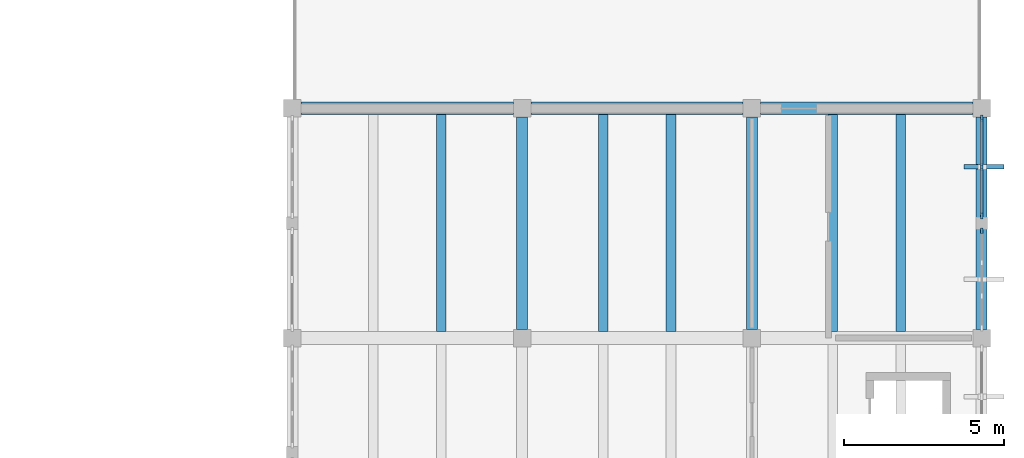
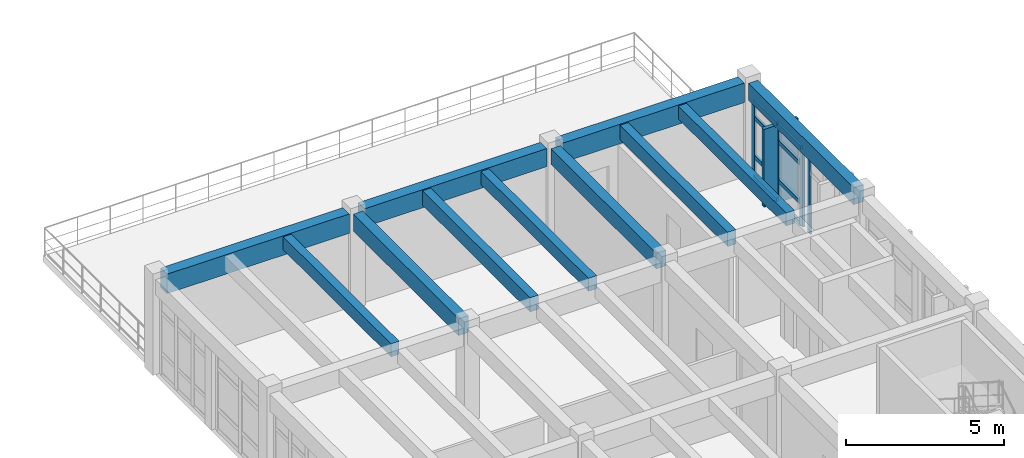
# One storey, part 6 of 22: 13 members, 11 beams, 2 elements without a shape of their own.
"""IFC4 building model written with IfcOpenShell, lengths in metres."""

from ifc_helpers import new_model, si_unit, direction, frame, origin, origin_2d, place, context, subcontext, project, spatial, rectangle, extrude, material, layer, layer_set, material_profile, profile_set, type_object, element, aggregate, save


model = new_model("IFC4")

# Units and contexts
model_context = context("Model", 3, precision=1e-05, world=origin(), true_north=direction((0.0, 1.0)))
body_context = subcontext(model_context, "Body", "Model", "MODEL_VIEW")
ifc_project = project(units=[si_unit("LENGTHUNIT", "METRE"), si_unit("AREAUNIT", "SQUARE_METRE"), si_unit("VOLUMEUNIT", "CUBIC_METRE"), si_unit("PLANEANGLEUNIT", "RADIAN"), si_unit("MASSUNIT", "GRAM", prefix="KILO")], contexts=[model_context])

# Site, building, storey
site_placement = place(None, origin())
site = spatial("IfcSite", under=ifc_project, at=site_placement, CompositionType="ELEMENT")
building_placement = place(site_placement, origin())
building = spatial("IfcBuilding", under=site, at=building_placement, Name="Koriwan Promenade Central Fire Station", CompositionType="ELEMENT")
storey_placement = place(building_placement, frame((0.0, 0.0, 17.39990234375)))
storey = spatial("IfcBuildingStorey", under=building, at=storey_placement, Name="L04", CompositionType="ELEMENT", Elevation=17.39990234375)

# Beams
ifc_material_1 = material(Name="Concrete C35/45", Category="concrete")
ifc_material_profile_1 = material_profile(ifc_material_1, rectangle(XDim=0.300048828125, YDim=0.5, at=origin_2d()), Name="RC-BM-300x500")
ifc_profile_set_1 = profile_set([ifc_material_profile_1], Name="Concrete C35/45")
beam_type_1 = type_object("IfcBeamType", Name="Beam_RC-BM-300x500", PredefinedType="JOIST", material=ifc_profile_set_1)
for number, where, z_axis, x_axis, name in (
    (1, (155.864013671875, 29.0, 3.3701171875), (0.0, 1.0, 0.0), (-1.0, 0.0, 0.0), "V5 L04 secondary joist 983"),
    (2, (163.06396484375, 29.0, 3.3701171875), (0.0, 1.0, 0.0), (-1.0, 0.0, 0.0), "V5 L04 secondary joist 985"),
    (3, (170.263916015625, 29.0, 3.3701171875), (0.0, 1.0, 0.0), (-1.0, 0.0, 0.0), "V5 L04 secondary joist 987"),
):
    element("IfcBeam", number, at=place(storey_placement, frame(where, z_axis=z_axis, x_axis=x_axis)), inside=storey, type_object=beam_type_1, Name=name, PredefinedType="JOIST", context=body_context, shape_type="SweptSolid", body=[
        extrude(rectangle(XDim=0.300048828125, YDim=0.5, at=origin_2d()), origin(), (0.0, 0.0, 1.0), 6.800048828125),
    ])
ifc_material_profile_2 = material_profile(ifc_material_1, rectangle(XDim=0.300048828125, YDim=0.550048828125, at=origin_2d()), Name="RC-BM-300x550")
ifc_profile_set_2 = profile_set([ifc_material_profile_2], Name="Concrete C35/45")
beam_type_2 = type_object("IfcBeamType", Name="Beam_RC-BM-300x550", PredefinedType="JOIST", material=ifc_profile_set_2)
for number, where, z_axis, x_axis, name in (
    (4, (160.93603515625, 29.0, 3.34521484375), (0.0, 1.0, 0.0), (-1.0, 0.0, 0.0), "V5 L04 secondary joist 984"),
    (5, (168.135986328125, 29.0, 3.34521484375), (0.0, 1.0, 0.0), (-1.0, 0.0, 0.0), "V5 L04 secondary joist 986"),
):
    element("IfcBeam", number, at=place(storey_placement, frame(where, z_axis=z_axis, x_axis=x_axis)), inside=storey, type_object=beam_type_2, Name=name, PredefinedType="JOIST", context=body_context, shape_type="SweptSolid", body=[
        extrude(rectangle(XDim=0.300048828125, YDim=0.550048828125, at=origin_2d()), origin(), (0.0, 0.0, 1.0), 6.800048828125),
    ])
ifc_material_profile_3 = material_profile(ifc_material_1, rectangle(XDim=0.35009765625, YDim=0.60009765625, at=origin_2d()), Name="RC-BM-350x600")
ifc_profile_set_3 = profile_set([ifc_material_profile_3], Name="Concrete C35/45")
beam_type_3 = type_object("IfcBeamType", Name="Beam_RC-BM-350x600", PredefinedType="BEAM", material=ifc_profile_set_3)
beam_1_placement = place(storey_placement, frame((165.60009765625, 29.074951171875, 3.360107421875), z_axis=(0.0, 1.0, 0.0), x_axis=(-1.0, 0.0, 0.0)))
element("IfcBeam", 6, at=beam_1_placement, inside=storey, type_object=beam_type_3, Name="V5 L04 girder Y-960", PredefinedType="BEAM", context=body_context, shape_type="SweptSolid", body=[
    extrude(rectangle(XDim=0.35009765625, YDim=0.60009765625, at=origin_2d()), origin(), (0.0, 0.0, 1.0), 6.650146484375),
])
ifc_material_profile_4 = material_profile(ifc_material_1, rectangle(XDim=0.35009765625, YDim=0.64990234375, at=origin_2d()), Name="RC-BM-350x650")
ifc_profile_set_4 = profile_set([ifc_material_profile_4], Name="Concrete C35/45")
beam_type_4 = type_object("IfcBeamType", Name="Beam_RC-BM-350x650", PredefinedType="BEAM", material=ifc_profile_set_4)
for number, where, z_axis, x_axis, name in (
    (7, (158.39990234375, 29.074951171875, 3.335205078125), (0.0, 1.0, 0.0), (-1.0, 0.0, 0.0), "V5 L04 girder Y-955"),
    (8, (172.800048828125, 29.074951171875, 3.335205078125), (0.0, 1.0, 0.0), (-1.0, 0.0, 0.0), "V5 L04 girder Y-965"),
):
    element("IfcBeam", number, at=place(storey_placement, frame(where, z_axis=z_axis, x_axis=x_axis)), inside=storey, type_object=beam_type_4, Name=name, PredefinedType="BEAM", context=body_context, shape_type="SweptSolid", body=[
        extrude(rectangle(XDim=0.35009765625, YDim=0.64990234375, at=origin_2d()), origin(), (0.0, 0.0, 1.0), 6.650146484375),
    ])
ifc_material_profile_5 = material_profile(ifc_material_1, rectangle(XDim=0.39990234375, YDim=0.699951171875, at=origin_2d()), Name="RC-BM-400x700")
ifc_profile_set_5 = profile_set([ifc_material_profile_5], Name="Concrete C35/45")
beam_type_5 = type_object("IfcBeamType", Name="Beam_RC-BM-400x700", PredefinedType="BEAM", material=ifc_profile_set_5)
beam_2_placement = place(storey_placement, frame((158.675048828125, 36.0, 3.31005859375), z_axis=(1.0, 0.0, 0.0), x_axis=(0.0, 1.0, 0.0)))
element("IfcBeam", 9, at=beam_2_placement, inside=storey, type_object=beam_type_5, Name="V5 L04 girder X-944", PredefinedType="BEAM", context=body_context, shape_type="SweptSolid", body=[
    extrude(rectangle(XDim=0.39990234375, YDim=0.699951171875, at=origin_2d()), origin(), (0.0, 0.0, 1.0), 6.64990234375),
])
ifc_material_profile_6 = material_profile(ifc_material_1, rectangle(XDim=0.39990234375, YDim=0.75, at=origin_2d()), Name="RC-BM-400x750")
ifc_profile_set_6 = profile_set([ifc_material_profile_6], Name="Concrete C35/45")
beam_type_6 = type_object("IfcBeamType", Name="Beam_RC-BM-400x750", PredefinedType="BEAM", material=ifc_profile_set_6)
for number, where, z_axis, x_axis, name in (
    (10, (151.47509765625, 36.0, 3.28515625), (1.0, 0.0, 0.0), (0.0, 1.0, 0.0), "V5 L04 girder X-943"),
    (11, (165.875, 36.0, 3.28515625), (1.0, 0.0, 0.0), (0.0, 1.0, 0.0), "V5 L04 girder X-945"),
):
    element("IfcBeam", number, at=place(storey_placement, frame(where, z_axis=z_axis, x_axis=x_axis)), inside=storey, type_object=beam_type_6, Name=name, PredefinedType="BEAM", context=body_context, shape_type="SweptSolid", body=[
        extrude(rectangle(XDim=0.39990234375, YDim=0.75, at=origin_2d()), origin(), (0.0, 0.0, 1.0), 6.64990234375),
    ])

# Curtain wall, member
ifc_material_2 = material(Name="Aluminium EN AW-6063-T6 and low-E glazing", Category="aluminium")
ifc_layer_1 = layer(ifc_material_2, 0.159912109375, Name="Aluminium EN AW-6063-T6 and low-E glazing")
ifc_layer_set_1 = layer_set([ifc_layer_1], Name="Aluminium EN AW-6063-T6 and low-E glazing")
curtain_wall_type_1 = type_object("IfcCurtainWallType", Name="CurtainWall_86_313x300", PredefinedType="USERDEFINED", material=ifc_layer_set_1)
curtain_wall_1_placement = place(storey_placement, origin())
curtain_wall_1 = element("IfcCurtainWall", 12, at=curtain_wall_1_placement, inside=storey, type_object=curtain_wall_type_1, Name="V5 L04 unitised curtain wall 259", ObjectType="UNITISED CURTAIN WALL", PredefinedType="USERDEFINED")
ifc_material_3 = material(Name="Aluminium EN AW-6063-T6", Category="aluminium")
ifc_material_profile_7 = material_profile(ifc_material_3, rectangle(XDim=0.074951171875, YDim=0.179931640625, at=origin_2d()), Name="ALU-MUL-75x180")
ifc_profile_set_7 = profile_set([ifc_material_profile_7], Name="Aluminium EN AW-6063-T6")
member_type_1 = type_object("IfcMemberType", Name="CWMullion_ALU-MUL-75x180", PredefinedType="MULLION", material=ifc_profile_set_7)
member_1_placement = place(storey_placement, frame((172.800048828125, 32.16259765625, 0.0), z_axis=(0.0, 0.0, 1.0), x_axis=(-1.0, 0.0, 0.0)))
member_1 = element("IfcMember", 13, at=member_1_placement, type_object=member_type_1, Name="CW-86 mullion 4", PredefinedType="MULLION", context=body_context, shape_type="SweptSolid", body=[
    extrude(rectangle(XDim=0.074951171875, YDim=0.179931640625, at=origin_2d()), origin(), (0.0, 0.0, 1.0), 3.0),
])
aggregate(curtain_wall_1, [member_1])

# Curtain wall, members
ifc_layer_2 = layer(ifc_material_2, 0.159912109375, Name="Aluminium EN AW-6063-T6 and low-E glazing")
ifc_layer_set_2 = layer_set([ifc_layer_2], Name="Aluminium EN AW-6063-T6 and low-E glazing")
curtain_wall_type_2 = type_object("IfcCurtainWallType", Name="CurtainWall_87_312x300", PredefinedType="USERDEFINED", material=ifc_layer_set_2)
curtain_wall_2_placement = place(storey_placement, origin())
curtain_wall_2 = element("IfcCurtainWall", 14, at=curtain_wall_2_placement, inside=storey, type_object=curtain_wall_type_2, Name="V5 L04 unitised curtain wall 260", ObjectType="UNITISED CURTAIN WALL", PredefinedType="USERDEFINED")
ifc_material_profile_8 = material_profile(ifc_material_3, rectangle(XDim=0.080078125, YDim=0.2099609375, at=origin_2d()), Name="ALU-MUL-80x210")
ifc_profile_set_8 = profile_set([ifc_material_profile_8], Name="Aluminium EN AW-6063-T6")
member_type_2 = type_object("IfcMemberType", Name="CWMullion_ALU-MUL-80x210", PredefinedType="MULLION", material=ifc_profile_set_8)
member_2_placement = place(storey_placement, frame((172.800048828125, 32.639892578125, 0.0), z_axis=(0.0, 0.0, 1.0), x_axis=(-1.0, 0.0, 0.0)))
member_2 = element("IfcMember", 15, at=member_2_placement, type_object=member_type_2, Name="CW-87 mullion 1", PredefinedType="MULLION", context=body_context, shape_type="SweptSolid", body=[
    extrude(rectangle(XDim=0.080078125, YDim=0.2099609375, at=origin_2d()), origin(), (0.0, 0.0, 1.0), 3.0),
])
member_3_placement = place(storey_placement, frame((172.800048828125, 34.16259765625, 0.0), z_axis=(0.0, 0.0, 1.0), x_axis=(-1.0, 0.0, 0.0)))
member_3 = element("IfcMember", 16, at=member_3_placement, type_object=member_type_2, Name="CW-87 mullion 2", PredefinedType="MULLION", context=body_context, shape_type="SweptSolid", body=[
    extrude(rectangle(XDim=0.080078125, YDim=0.2099609375, at=origin_2d()), origin(), (0.0, 0.0, 1.0), 3.0),
])
member_4_placement = place(storey_placement, frame((172.800048828125, 35.68505859375, 0.0), z_axis=(0.0, 0.0, 1.0), x_axis=(-1.0, 0.0, 0.0)))
member_4 = element("IfcMember", 17, at=member_4_placement, type_object=member_type_2, Name="CW-87 mullion 3", PredefinedType="MULLION", context=body_context, shape_type="SweptSolid", body=[
    extrude(rectangle(XDim=0.080078125, YDim=0.2099609375, at=origin_2d()), origin(), (0.0, 0.0, 1.0), 3.0),
])
ifc_material_profile_9 = material_profile(ifc_material_3, rectangle(XDim=0.080078125, YDim=0.155029296875, at=origin_2d()), Name="ALU-TRN-80x155")
ifc_profile_set_9 = profile_set([ifc_material_profile_9], Name="Aluminium EN AW-6063-T6")
member_type_3 = type_object("IfcMemberType", Name="CWTransom_ALU-TRN-80x155", PredefinedType="USERDEFINED", material=ifc_profile_set_9)
member_5_placement = place(storey_placement, frame((172.800048828125, 32.679931640625, 0.0400390625), z_axis=(0.0, 1.0, 0.0), x_axis=(-1.0, 0.0, 0.0)))
member_5 = element("IfcMember", 18, at=member_5_placement, type_object=member_type_3, Name="CW-87 transom 1.1", ObjectType="TRANSOM", PredefinedType="USERDEFINED", context=body_context, shape_type="SweptSolid", body=[
    extrude(rectangle(XDim=0.080078125, YDim=0.155029296875, at=origin_2d()), origin(), (0.0, 0.0, 1.0), 1.442626953125),
])
member_6_placement = place(storey_placement, frame((172.800048828125, 32.679931640625, 0.85009765625), z_axis=(0.0, 1.0, 0.0), x_axis=(-1.0, 0.0, 0.0)))
member_6 = element("IfcMember", 19, at=member_6_placement, type_object=member_type_3, Name="CW-87 transom 1.2", ObjectType="TRANSOM", PredefinedType="USERDEFINED", context=body_context, shape_type="SweptSolid", body=[
    extrude(rectangle(XDim=0.080078125, YDim=0.155029296875, at=origin_2d()), origin(), (0.0, 0.0, 1.0), 1.442626953125),
])
member_7_placement = place(storey_placement, frame((172.800048828125, 32.679931640625, 2.35009765625), z_axis=(0.0, 1.0, 0.0), x_axis=(-1.0, 0.0, 0.0)))
member_7 = element("IfcMember", 20, at=member_7_placement, type_object=member_type_3, Name="CW-87 transom 1.3", ObjectType="TRANSOM", PredefinedType="USERDEFINED", context=body_context, shape_type="SweptSolid", body=[
    extrude(rectangle(XDim=0.080078125, YDim=0.155029296875, at=origin_2d()), origin(), (0.0, 0.0, 1.0), 1.442626953125),
])
member_8_placement = place(storey_placement, frame((172.800048828125, 32.679931640625, 2.960205078125), z_axis=(0.0, 1.0, 0.0), x_axis=(-1.0, 0.0, 0.0)))
member_8 = element("IfcMember", 21, at=member_8_placement, type_object=member_type_3, Name="CW-87 transom 1.4", ObjectType="TRANSOM", PredefinedType="USERDEFINED", context=body_context, shape_type="SweptSolid", body=[
    extrude(rectangle(XDim=0.080078125, YDim=0.155029296875, at=origin_2d()), origin(), (0.0, 0.0, 1.0), 1.442626953125),
])
member_9_placement = place(storey_placement, frame((172.800048828125, 34.202392578125, 0.0400390625), z_axis=(0.0, 1.0, 0.0), x_axis=(-1.0, 0.0, 0.0)))
member_9 = element("IfcMember", 22, at=member_9_placement, type_object=member_type_3, Name="CW-87 transom 2.1", ObjectType="TRANSOM", PredefinedType="USERDEFINED", context=body_context, shape_type="SweptSolid", body=[
    extrude(rectangle(XDim=0.080078125, YDim=0.155029296875, at=origin_2d()), origin(), (0.0, 0.0, 1.0), 1.442626953125),
])
member_10_placement = place(storey_placement, frame((172.800048828125, 34.202392578125, 0.85009765625), z_axis=(0.0, 1.0, 0.0), x_axis=(-1.0, 0.0, 0.0)))
member_10 = element("IfcMember", 23, at=member_10_placement, type_object=member_type_3, Name="CW-87 transom 2.2", ObjectType="TRANSOM", PredefinedType="USERDEFINED", context=body_context, shape_type="SweptSolid", body=[
    extrude(rectangle(XDim=0.080078125, YDim=0.155029296875, at=origin_2d()), origin(), (0.0, 0.0, 1.0), 1.442626953125),
])
member_11_placement = place(storey_placement, frame((172.800048828125, 34.202392578125, 2.35009765625), z_axis=(0.0, 1.0, 0.0), x_axis=(-1.0, 0.0, 0.0)))
member_11 = element("IfcMember", 24, at=member_11_placement, type_object=member_type_3, Name="CW-87 transom 2.3", ObjectType="TRANSOM", PredefinedType="USERDEFINED", context=body_context, shape_type="SweptSolid", body=[
    extrude(rectangle(XDim=0.080078125, YDim=0.155029296875, at=origin_2d()), origin(), (0.0, 0.0, 1.0), 1.442626953125),
])
member_12_placement = place(storey_placement, frame((172.800048828125, 34.202392578125, 2.960205078125), z_axis=(0.0, 1.0, 0.0), x_axis=(-1.0, 0.0, 0.0)))
member_12 = element("IfcMember", 25, at=member_12_placement, type_object=member_type_3, Name="CW-87 transom 2.4", ObjectType="TRANSOM", PredefinedType="USERDEFINED", context=body_context, shape_type="SweptSolid", body=[
    extrude(rectangle(XDim=0.080078125, YDim=0.155029296875, at=origin_2d()), origin(), (0.0, 0.0, 1.0), 1.442626953125),
])
aggregate(curtain_wall_2, [member_2, member_3, member_4, member_5, member_6, member_7, member_8, member_9, member_10, member_11, member_12])

# Member
ifc_material_4 = material(Name="Aluminium EN AW-6063-T6 terracotta finish", Category="masonry")
ifc_material_profile_10 = material_profile(ifc_material_4, rectangle(XDim=0.139892578125, YDim=1.25, at=origin_2d()), Name="FIN-TRC-140x1250")
ifc_profile_set_10 = profile_set([ifc_material_profile_10], Name="Aluminium EN AW-6063-T6 terracotta finish")
member_type_4 = type_object("IfcMemberType", Name="SolarFin_FIN-TRC-140x1250", PredefinedType="USERDEFINED", material=ifc_profile_set_10)
member_13_placement = place(storey_placement, frame((172.875, 34.16259765625, 0.0), z_axis=(0.0, 0.0, 1.0), x_axis=(0.0, -1.0, 0.0)))
element("IfcMember", 26, at=member_13_placement, inside=storey, type_object=member_type_4, Name="V5 L04 terracotta solar fin 094", ObjectType="SOLAR FIN", PredefinedType="USERDEFINED", context=body_context, shape_type="SweptSolid", body=[
    extrude(rectangle(XDim=0.139892578125, YDim=1.25, at=origin_2d()), origin(), (0.0, 0.0, 1.0), 3.0),
])

save(model, "model.ifc")
